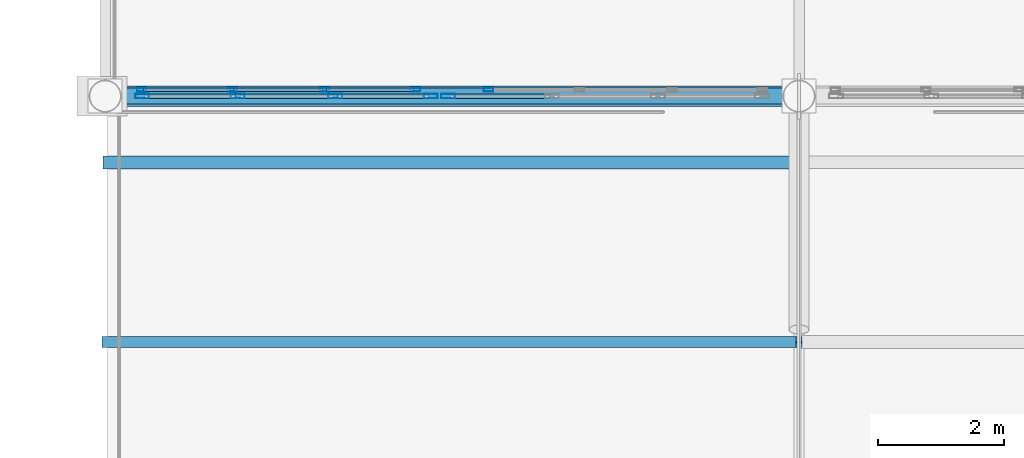
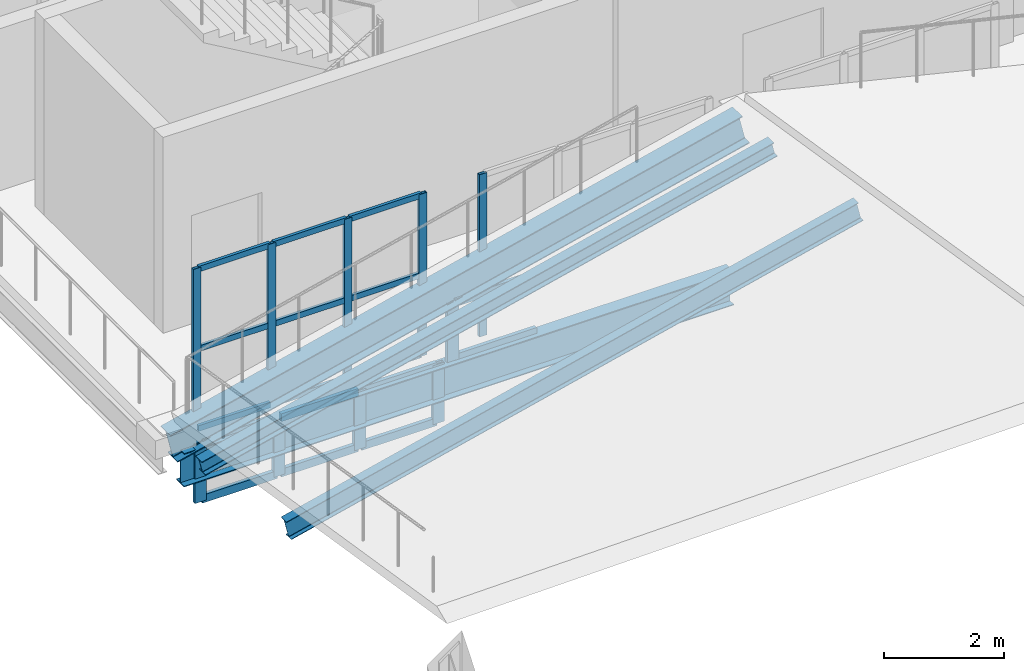
# One storey, part 19 of 120: 29 members, 2 beams, 4 elements without a shape of their own.
"""IFC4 building model written with IfcOpenShell, lengths in metres."""

from ifc_helpers import new_model, si_unit, direction, frame, origin, origin_2d, place, context, subcontext, project, spatial, hollow_rectangle, i_section, extrude, material, material_profile, profile_set, type_object, element, aggregate, save


model = new_model("IFC4")

# Units and contexts
model_context = context("Model", 3, precision=1e-05, world=origin(), true_north=direction((0.0, 1.0)))
body_context = subcontext(model_context, "Body", "Model", "MODEL_VIEW")
ifc_project = project(units=[si_unit("LENGTHUNIT", "METRE"), si_unit("AREAUNIT", "SQUARE_METRE"), si_unit("VOLUMEUNIT", "CUBIC_METRE"), si_unit("PLANEANGLEUNIT", "RADIAN"), si_unit("MASSUNIT", "GRAM", prefix="KILO")], contexts=[model_context])

# Site, building, storey
site_placement = place(None, origin())
site = spatial("IfcSite", under=ifc_project, at=site_placement, CompositionType="ELEMENT")
building_placement = place(site_placement, origin())
building = spatial("IfcBuilding", under=site, at=building_placement, Name="Caurita Quay Ferry Terminal", CompositionType="ELEMENT")
storey_placement = place(building_placement, frame((0.0, 0.0, 9.89990234375)))
storey = spatial("IfcBuildingStorey", under=building, at=storey_placement, Name="L02", CompositionType="ELEMENT", Elevation=9.89990234375)

# Beams
ifc_material_1 = material(Name="Structural steel ASTM A992 Gr. 50", Category="steel")
ifc_material_profile_1 = material_profile(ifc_material_1, i_section(OverallWidth=0.3251953125, OverallDepth=0.612060546875, WebThickness=0.0126953125, FlangeThickness=0.01904296875, FilletRadius=0.01513671875, at=origin_2d()), Name="W24X104")
ifc_profile_set_1 = profile_set([ifc_material_profile_1], Name="Structural steel ASTM A992 Gr. 50")
beam_type_1 = type_object("IfcBeamType", Name="BM-GR-W24A", PredefinedType="BEAM", material=ifc_profile_set_1)
beam_1_placement = place(storey_placement, frame((0.0, 62.699951171875, -0.02978515625), z_axis=(0.972389456854, 0.0, 0.233363973654), x_axis=(0.0, 1.0, 0.0)))
element("IfcBeam", 1, at=beam_1_placement, inside=storey, type_object=beam_type_1, Name="Folded Roof Gable Ring Girder V1-N-0", PredefinedType="BEAM", context=body_context, shape_type="SweptSolid", body=[
    extrude(i_section(OverallWidth=0.3251953125, OverallDepth=0.612060546875, WebThickness=0.0126953125, FlangeThickness=0.01904296875, FilletRadius=0.01513671875, at=origin_2d()), origin(), (0.0, 0.0, 1.0), 11.312255859375),
])
ifc_material_profile_2 = material_profile(ifc_material_1, i_section(OverallWidth=0.25390625, OverallDepth=0.68310546875, WebThickness=0.012451171875, FlangeThickness=0.018798828125, at=origin_2d()), Name="W27X94")
ifc_profile_set_2 = profile_set([ifc_material_profile_2], Name="Structural steel ASTM A992 Gr. 50")
beam_type_2 = type_object("IfcBeamType", Name="BM-GR-W27B", PredefinedType="BEAM", material=ifc_profile_set_2)
beam_2_placement = place(storey_placement, frame((0.2158203125, 62.699951171875, -0.5615234375), z_axis=(1.0, 0.0, 0.0), x_axis=(0.0, 1.0, 0.0)))
element("IfcBeam", 2, at=beam_2_placement, inside=storey, type_object=beam_type_2, Name="L02 Beam BM-V1-L02-X-2-627", PredefinedType="BEAM", context=body_context, shape_type="SweptSolid", body=[
    extrude(i_section(OverallWidth=0.25390625, OverallDepth=0.68310546875, WebThickness=0.012451171875, FlangeThickness=0.018798828125, at=origin_2d()), origin(), (0.0, 0.0, 1.0), 10.568359375),
])

# Curtain wall, members
ifc_material_2 = material(Name="Laminated solar-control insulated glass", Category="glass")
curtain_wall_type_1 = type_object("IfcCurtainWallType", Name="CW-SYS-13", PredefinedType="NOTDEFINED", material=ifc_material_2)
curtain_wall_1_placement = place(storey_placement, origin())
curtain_wall_1 = element("IfcCurtainWall", 3, at=curtain_wall_1_placement, inside=storey, type_object=curtain_wall_type_1, Name="Mezzanine Hall Overlook Glazing 089", PredefinedType="NOTDEFINED")
ifc_material_3 = material(Name="Anodized aluminium 6063-T6", Category="aluminium")
ifc_material_profile_3 = material_profile(ifc_material_3, hollow_rectangle(XDim=0.06005859375, YDim=0.14990234375, WallThickness=0.00341796875, at=origin_2d()), Name="ALU-MUL-60X150")
ifc_profile_set_3 = profile_set([ifc_material_profile_3], Name="Anodized aluminium 6063-T6")
member_type_1 = type_object("IfcMemberType", Name="CW-MUL-150", PredefinedType="MULLION", material=ifc_profile_set_3)
member_1_placement = place(storey_placement, frame((0.580078125, 62.800048828125, 0.0), z_axis=(0.0, 0.0, 1.0), x_axis=(0.0, 1.0, 0.0)))
member_1 = element("IfcMember", 4, at=member_1_placement, type_object=member_type_1, Name="CW-MZL-089 Mullion 1", PredefinedType="MULLION", context=body_context, shape_type="SweptSolid", body=[
    extrude(hollow_rectangle(XDim=0.06005859375, YDim=0.14990234375, WallThickness=0.00341796875, at=origin_2d()), origin(), (0.0, 0.0, 1.0), 3.300048828125),
])
member_2_placement = place(storey_placement, frame((2.0166015625, 62.800048828125, 0.0), z_axis=(0.0, 0.0, 1.0), x_axis=(0.0, 1.0, 0.0)))
member_2 = element("IfcMember", 5, at=member_2_placement, type_object=member_type_1, Name="CW-MZL-089 Mullion 2", PredefinedType="MULLION", context=body_context, shape_type="SweptSolid", body=[
    extrude(hollow_rectangle(XDim=0.06005859375, YDim=0.14990234375, WallThickness=0.00341796875, at=origin_2d()), origin(), (0.0, 0.0, 1.0), 3.300048828125),
])
member_3_placement = place(storey_placement, frame((3.4833984375, 62.800048828125, 0.0), z_axis=(0.0, 0.0, 1.0), x_axis=(0.0, 1.0, 0.0)))
member_3 = element("IfcMember", 6, at=member_3_placement, type_object=member_type_1, Name="CW-MZL-089 Mullion 3", PredefinedType="MULLION", context=body_context, shape_type="SweptSolid", body=[
    extrude(hollow_rectangle(XDim=0.06005859375, YDim=0.14990234375, WallThickness=0.00341796875, at=origin_2d()), origin(), (0.0, 0.0, 1.0), 3.300048828125),
])
member_4_placement = place(storey_placement, frame((4.919921875, 62.800048828125, 0.0), z_axis=(0.0, 0.0, 1.0), x_axis=(0.0, 1.0, 0.0)))
member_4 = element("IfcMember", 7, at=member_4_placement, type_object=member_type_1, Name="CW-MZL-089 Mullion 4", PredefinedType="MULLION", context=body_context, shape_type="SweptSolid", body=[
    extrude(hollow_rectangle(XDim=0.06005859375, YDim=0.14990234375, WallThickness=0.00341796875, at=origin_2d()), origin(), (0.0, 0.0, 1.0), 3.300048828125),
])

# Curtain wall, member
curtain_wall_2_placement = place(storey_placement, origin())
curtain_wall_2 = element("IfcCurtainWall", 8, at=curtain_wall_2_placement, inside=storey, type_object=curtain_wall_type_1, Name="Mezzanine Hall Overlook Glazing 090", PredefinedType="NOTDEFINED")
member_5_placement = place(storey_placement, frame((6.080078125, 62.800048828125, 0.0), z_axis=(0.0, 0.0, 1.0), x_axis=(0.0, 1.0, 0.0)))
member_5 = element("IfcMember", 9, at=member_5_placement, type_object=member_type_1, Name="CW-MZL-090 Mullion 1", PredefinedType="MULLION", context=body_context, shape_type="SweptSolid", body=[
    extrude(hollow_rectangle(XDim=0.06005859375, YDim=0.14990234375, WallThickness=0.00341796875, at=origin_2d()), origin(), (0.0, 0.0, 1.0), 3.300048828125),
])
aggregate(curtain_wall_2, [member_5])

# Curtain wall, members
curtain_wall_type_2 = type_object("IfcCurtainWallType", Name="CW-SYS-05", PredefinedType="NOTDEFINED", material=ifc_material_2)
curtain_wall_3_placement = place(storey_placement, origin())
curtain_wall_3 = element("IfcCurtainWall", 10, at=curtain_wall_3_placement, inside=storey, type_object=curtain_wall_type_2, Name="Folded Roof Clerestory FB-01-N1", PredefinedType="NOTDEFINED")
ifc_material_profile_4 = material_profile(ifc_material_3, hollow_rectangle(XDim=0.074951171875, YDim=0.219970703125, WallThickness=0.00390625, at=origin_2d()), Name="ALU-MUL-75X220")
ifc_profile_set_4 = profile_set([ifc_material_profile_4], Name="Anodized aluminium 6063-T6")
member_type_2 = type_object("IfcMemberType", Name="CW-MUL-220", PredefinedType="MULLION", material=ifc_profile_set_4)
member_6_placement = place(storey_placement, frame((0.58740234375, 62.699951171875, -1.3828125), z_axis=(0.0, 0.0, 1.0), x_axis=(0.0, 1.0, 0.0)))
member_6 = element("IfcMember", 11, at=member_6_placement, type_object=member_type_2, Name="CW-CLR-005 Mullion 1", PredefinedType="MULLION", context=body_context, shape_type="SweptSolid", body=[
    extrude(hollow_rectangle(XDim=0.074951171875, YDim=0.219970703125, WallThickness=0.00390625, at=origin_2d()), origin(), (0.0, 0.0, 1.0), 1.199951171875),
])
member_7_placement = place(storey_placement, frame((2.10009765625, 62.699951171875, -1.3828125), z_axis=(0.0, 0.0, 1.0), x_axis=(0.0, 1.0, 0.0)))
member_7 = element("IfcMember", 12, at=member_7_placement, type_object=member_type_2, Name="CW-CLR-005 Mullion 2", PredefinedType="MULLION", context=body_context, shape_type="SweptSolid", body=[
    extrude(hollow_rectangle(XDim=0.074951171875, YDim=0.219970703125, WallThickness=0.00390625, at=origin_2d()), origin(), (0.0, 0.0, 1.0), 1.199951171875),
])
member_8_placement = place(storey_placement, frame((3.64990234375, 62.699951171875, -1.3828125), z_axis=(0.0, 0.0, 1.0), x_axis=(0.0, 1.0, 0.0)))
member_8 = element("IfcMember", 13, at=member_8_placement, type_object=member_type_2, Name="CW-CLR-005 Mullion 3", PredefinedType="MULLION", context=body_context, shape_type="SweptSolid", body=[
    extrude(hollow_rectangle(XDim=0.074951171875, YDim=0.219970703125, WallThickness=0.00390625, at=origin_2d()), origin(), (0.0, 0.0, 1.0), 1.199951171875),
])
member_9_placement = place(storey_placement, frame((5.16259765625, 62.699951171875, -1.3828125), z_axis=(0.0, 0.0, 1.0), x_axis=(0.0, 1.0, 0.0)))
member_9 = element("IfcMember", 14, at=member_9_placement, type_object=member_type_2, Name="CW-CLR-005 Mullion 4", PredefinedType="MULLION", context=body_context, shape_type="SweptSolid", body=[
    extrude(hollow_rectangle(XDim=0.074951171875, YDim=0.219970703125, WallThickness=0.00390625, at=origin_2d()), origin(), (0.0, 0.0, 1.0), 1.199951171875),
])

# Curtain wall, member
curtain_wall_type_3 = type_object("IfcCurtainWallType", Name="CW-SYS-06", PredefinedType="NOTDEFINED", material=ifc_material_2)
curtain_wall_4_placement = place(storey_placement, origin())
curtain_wall_4 = element("IfcCurtainWall", 15, at=curtain_wall_4_placement, inside=storey, type_object=curtain_wall_type_3, Name="Folded Roof Clerestory FB-01-N2", PredefinedType="NOTDEFINED")
member_10_placement = place(storey_placement, frame((5.4375, 62.699951171875, -0.218994140625), z_axis=(0.0, 0.0, 1.0), x_axis=(0.0, 1.0, 0.0)))
member_10 = element("IfcMember", 16, at=member_10_placement, type_object=member_type_2, Name="CW-CLR-006 Mullion 1", PredefinedType="MULLION", context=body_context, shape_type="SweptSolid", body=[
    extrude(hollow_rectangle(XDim=0.074951171875, YDim=0.219970703125, WallThickness=0.00390625, at=origin_2d()), origin(), (0.0, 0.0, 1.0), 1.2001953125),
])

# Member
ifc_material_profile_5 = material_profile(ifc_material_3, hollow_rectangle(XDim=0.06005859375, YDim=0.114990234375, WallThickness=0.00341796875, at=origin_2d()), Name="ALU-TRN-60X115")
ifc_profile_set_5 = profile_set([ifc_material_profile_5], Name="Anodized aluminium 6063-T6")
member_type_3 = type_object("IfcMemberType", Name="CW-TRN-115", PredefinedType="USERDEFINED", material=ifc_profile_set_5)
member_11_placement = place(storey_placement, frame((0.60791015625, 62.800048828125, 0.030029296875), z_axis=(1.0, 0.0, 0.0), x_axis=(0.0, 1.0, 0.0)))
member_11 = element("IfcMember", 17, at=member_11_placement, type_object=member_type_3, Name="CW-MZL-089 Transom 1", ObjectType="TRANSOM", PredefinedType="USERDEFINED", context=body_context, shape_type="SweptSolid", body=[
    extrude(hollow_rectangle(XDim=0.06005859375, YDim=0.114990234375, WallThickness=0.00341796875, at=origin_2d()), origin(), (0.0, 0.0, 1.0), 1.380859375),
])

member_12_placement = place(storey_placement, frame((0.60791015625, 62.800048828125, 1.650146484375), z_axis=(1.0, 0.0, 0.0), x_axis=(0.0, 1.0, 0.0)))
member_12 = element("IfcMember", 18, at=member_12_placement, type_object=member_type_3, Name="CW-MZL-089 Transom 2", ObjectType="TRANSOM", PredefinedType="USERDEFINED", context=body_context, shape_type="SweptSolid", body=[
    extrude(hollow_rectangle(XDim=0.06005859375, YDim=0.114990234375, WallThickness=0.00341796875, at=origin_2d()), origin(), (0.0, 0.0, 1.0), 1.380859375),
])

member_13_placement = place(storey_placement, frame((0.60791015625, 62.800048828125, 3.27001953125), z_axis=(1.0, 0.0, 0.0), x_axis=(0.0, 1.0, 0.0)))
member_13 = element("IfcMember", 19, at=member_13_placement, type_object=member_type_3, Name="CW-MZL-089 Transom 3", ObjectType="TRANSOM", PredefinedType="USERDEFINED", context=body_context, shape_type="SweptSolid", body=[
    extrude(hollow_rectangle(XDim=0.06005859375, YDim=0.114990234375, WallThickness=0.00341796875, at=origin_2d()), origin(), (0.0, 0.0, 1.0), 1.380859375),
])

member_14_placement = place(storey_placement, frame((2.044677734375, 62.800048828125, 0.030029296875), z_axis=(1.0, 0.0, 0.0), x_axis=(0.0, 1.0, 0.0)))
member_14 = element("IfcMember", 20, at=member_14_placement, type_object=member_type_3, Name="CW-MZL-089 Transom 4", ObjectType="TRANSOM", PredefinedType="USERDEFINED", context=body_context, shape_type="SweptSolid", body=[
    extrude(hollow_rectangle(XDim=0.06005859375, YDim=0.114990234375, WallThickness=0.00341796875, at=origin_2d()), origin(), (0.0, 0.0, 1.0), 1.41064453125),
])

member_15_placement = place(storey_placement, frame((2.044677734375, 62.800048828125, 1.650146484375), z_axis=(1.0, 0.0, 0.0), x_axis=(0.0, 1.0, 0.0)))
member_15 = element("IfcMember", 21, at=member_15_placement, type_object=member_type_3, Name="CW-MZL-089 Transom 5", ObjectType="TRANSOM", PredefinedType="USERDEFINED", context=body_context, shape_type="SweptSolid", body=[
    extrude(hollow_rectangle(XDim=0.06005859375, YDim=0.114990234375, WallThickness=0.00341796875, at=origin_2d()), origin(), (0.0, 0.0, 1.0), 1.41064453125),
])

member_16_placement = place(storey_placement, frame((2.044677734375, 62.800048828125, 3.27001953125), z_axis=(1.0, 0.0, 0.0), x_axis=(0.0, 1.0, 0.0)))
member_16 = element("IfcMember", 22, at=member_16_placement, type_object=member_type_3, Name="CW-MZL-089 Transom 6", ObjectType="TRANSOM", PredefinedType="USERDEFINED", context=body_context, shape_type="SweptSolid", body=[
    extrude(hollow_rectangle(XDim=0.06005859375, YDim=0.114990234375, WallThickness=0.00341796875, at=origin_2d()), origin(), (0.0, 0.0, 1.0), 1.41064453125),
])

member_17_placement = place(storey_placement, frame((3.51123046875, 62.800048828125, 0.030029296875), z_axis=(1.0, 0.0, 0.0), x_axis=(0.0, 1.0, 0.0)))
member_17 = element("IfcMember", 23, at=member_17_placement, type_object=member_type_3, Name="CW-MZL-089 Transom 7", ObjectType="TRANSOM", PredefinedType="USERDEFINED", context=body_context, shape_type="SweptSolid", body=[
    extrude(hollow_rectangle(XDim=0.06005859375, YDim=0.114990234375, WallThickness=0.00341796875, at=origin_2d()), origin(), (0.0, 0.0, 1.0), 1.380859375),
])

member_18_placement = place(storey_placement, frame((3.51123046875, 62.800048828125, 1.650146484375), z_axis=(1.0, 0.0, 0.0), x_axis=(0.0, 1.0, 0.0)))
member_18 = element("IfcMember", 24, at=member_18_placement, type_object=member_type_3, Name="CW-MZL-089 Transom 8", ObjectType="TRANSOM", PredefinedType="USERDEFINED", context=body_context, shape_type="SweptSolid", body=[
    extrude(hollow_rectangle(XDim=0.06005859375, YDim=0.114990234375, WallThickness=0.00341796875, at=origin_2d()), origin(), (0.0, 0.0, 1.0), 1.380859375),
])

member_19_placement = place(storey_placement, frame((3.51123046875, 62.800048828125, 3.27001953125), z_axis=(1.0, 0.0, 0.0), x_axis=(0.0, 1.0, 0.0)))
member_19 = element("IfcMember", 25, at=member_19_placement, type_object=member_type_3, Name="CW-MZL-089 Transom 9", ObjectType="TRANSOM", PredefinedType="USERDEFINED", context=body_context, shape_type="SweptSolid", body=[
    extrude(hollow_rectangle(XDim=0.06005859375, YDim=0.114990234375, WallThickness=0.00341796875, at=origin_2d()), origin(), (0.0, 0.0, 1.0), 1.380859375),
])

aggregate(curtain_wall_1, [member_1, member_2, member_3, member_4, member_11, member_12, member_13, member_14, member_15, member_16, member_17, member_18, member_19])

ifc_material_profile_6 = material_profile(ifc_material_3, hollow_rectangle(XDim=0.074951171875, YDim=0.159912109375, WallThickness=0.00390625, at=origin_2d()), Name="ALU-TRN-75X160")
ifc_profile_set_6 = profile_set([ifc_material_profile_6], Name="Anodized aluminium 6063-T6")
member_type_4 = type_object("IfcMemberType", Name="CW-TRN-160", PredefinedType="USERDEFINED", material=ifc_profile_set_6)
member_20_placement = place(storey_placement, frame((0.623046875, 62.699951171875, -1.345458984375), z_axis=(1.0, 0.0, 0.0), x_axis=(0.0, 1.0, 0.0)))
member_20 = element("IfcMember", 26, at=member_20_placement, type_object=member_type_4, Name="CW-CLR-005 Transom 1", ObjectType="TRANSOM", PredefinedType="USERDEFINED", context=body_context, shape_type="SweptSolid", body=[
    extrude(hollow_rectangle(XDim=0.074951171875, YDim=0.159912109375, WallThickness=0.00390625, at=origin_2d()), origin(), (0.0, 0.0, 1.0), 1.44140625),
])

member_21_placement = place(storey_placement, frame((0.623046875, 62.699951171875, -0.220458984375), z_axis=(1.0, 0.0, 0.0), x_axis=(0.0, 1.0, 0.0)))
member_21 = element("IfcMember", 27, at=member_21_placement, type_object=member_type_4, Name="CW-CLR-005 Transom 2", ObjectType="TRANSOM", PredefinedType="USERDEFINED", context=body_context, shape_type="SweptSolid", body=[
    extrude(hollow_rectangle(XDim=0.074951171875, YDim=0.159912109375, WallThickness=0.00390625, at=origin_2d()), origin(), (0.0, 0.0, 1.0), 1.44140625),
])

member_22_placement = place(storey_placement, frame((2.135498046875, 62.699951171875, -1.345458984375), z_axis=(1.0, 0.0, 0.0), x_axis=(0.0, 1.0, 0.0)))
member_22 = element("IfcMember", 28, at=member_22_placement, type_object=member_type_4, Name="CW-CLR-005 Transom 3", ObjectType="TRANSOM", PredefinedType="USERDEFINED", context=body_context, shape_type="SweptSolid", body=[
    extrude(hollow_rectangle(XDim=0.074951171875, YDim=0.159912109375, WallThickness=0.00390625, at=origin_2d()), origin(), (0.0, 0.0, 1.0), 1.47900390625),
])

member_23_placement = place(storey_placement, frame((2.135498046875, 62.699951171875, -0.220458984375), z_axis=(1.0, 0.0, 0.0), x_axis=(0.0, 1.0, 0.0)))
member_23 = element("IfcMember", 29, at=member_23_placement, type_object=member_type_4, Name="CW-CLR-005 Transom 4", ObjectType="TRANSOM", PredefinedType="USERDEFINED", context=body_context, shape_type="SweptSolid", body=[
    extrude(hollow_rectangle(XDim=0.074951171875, YDim=0.159912109375, WallThickness=0.00390625, at=origin_2d()), origin(), (0.0, 0.0, 1.0), 1.47900390625),
])

member_24_placement = place(storey_placement, frame((3.685546875, 62.699951171875, -1.345458984375), z_axis=(1.0, 0.0, 0.0), x_axis=(0.0, 1.0, 0.0)))
member_24 = element("IfcMember", 30, at=member_24_placement, type_object=member_type_4, Name="CW-CLR-005 Transom 5", ObjectType="TRANSOM", PredefinedType="USERDEFINED", context=body_context, shape_type="SweptSolid", body=[
    extrude(hollow_rectangle(XDim=0.074951171875, YDim=0.159912109375, WallThickness=0.00390625, at=origin_2d()), origin(), (0.0, 0.0, 1.0), 1.44140625),
])

member_25_placement = place(storey_placement, frame((3.685546875, 62.699951171875, -0.220458984375), z_axis=(1.0, 0.0, 0.0), x_axis=(0.0, 1.0, 0.0)))
member_25 = element("IfcMember", 31, at=member_25_placement, type_object=member_type_4, Name="CW-CLR-005 Transom 6", ObjectType="TRANSOM", PredefinedType="USERDEFINED", context=body_context, shape_type="SweptSolid", body=[
    extrude(hollow_rectangle(XDim=0.074951171875, YDim=0.159912109375, WallThickness=0.00390625, at=origin_2d()), origin(), (0.0, 0.0, 1.0), 1.44140625),
])

aggregate(curtain_wall_3, [member_6, member_7, member_8, member_9, member_20, member_21, member_22, member_23, member_24, member_25])

member_26_placement = place(storey_placement, frame((5.472900390625, 62.699951171875, -0.181396484375), z_axis=(1.0, 0.0, 0.0), x_axis=(0.0, 1.0, 0.0)))
member_26 = element("IfcMember", 32, at=member_26_placement, type_object=member_type_4, Name="CW-CLR-006 Transom 1", ObjectType="TRANSOM", PredefinedType="USERDEFINED", context=body_context, shape_type="SweptSolid", body=[
    extrude(hollow_rectangle(XDim=0.074951171875, YDim=0.159912109375, WallThickness=0.00390625, at=origin_2d()), origin(), (0.0, 0.0, 1.0), 1.574951171875),
])

member_27_placement = place(storey_placement, frame((5.472900390625, 62.699951171875, 0.943603515625), z_axis=(1.0, 0.0, 0.0), x_axis=(0.0, 1.0, 0.0)))
member_27 = element("IfcMember", 33, at=member_27_placement, type_object=member_type_4, Name="CW-CLR-006 Transom 2", ObjectType="TRANSOM", PredefinedType="USERDEFINED", context=body_context, shape_type="SweptSolid", body=[
    extrude(hollow_rectangle(XDim=0.074951171875, YDim=0.159912109375, WallThickness=0.00390625, at=origin_2d()), origin(), (0.0, 0.0, 1.0), 1.574951171875),
])

aggregate(curtain_wall_4, [member_10, member_26, member_27])

# Members
ifc_material_profile_7 = material_profile(ifc_material_1, i_section(OverallWidth=0.20458984375, OverallDepth=0.307373046875, WebThickness=0.008544921875, FlangeThickness=0.0146484375, FilletRadius=0.0126953125, at=origin_2d()), Name="W12X45")
ifc_profile_set_7 = profile_set([ifc_material_profile_7], Name="Structural steel ASTM A992 Gr. 50")
member_type_5 = type_object("IfcMemberType", Name="MEM-PUR-12", PredefinedType="PURLIN", material=ifc_profile_set_7)
member_28_placement = place(storey_placement, frame((0.0, 61.64990234375, 0.168212890625), z_axis=(0.972389456854, 0.0, 0.233363973654), x_axis=(0.0, 1.0, 0.0)))
element("IfcMember", 34, at=member_28_placement, inside=storey, type_object=member_type_5, Name="Folded Roof Purlin PUR-010", PredefinedType="PURLIN", context=body_context, shape_type="SweptSolid", body=[
    extrude(i_section(OverallWidth=0.20458984375, OverallDepth=0.307373046875, WebThickness=0.008544921875, FlangeThickness=0.0146484375, FilletRadius=0.0126953125, at=origin_2d()), origin(), (0.0, 0.0, 1.0), 11.312255859375),
])
ifc_material_profile_8 = material_profile(ifc_material_1, i_section(OverallWidth=0.177734375, OverallDepth=0.40380859375, WebThickness=0.007568359375, FlangeThickness=0.010986328125, FilletRadius=0.011474609375, at=origin_2d()), Name="W16X36")
ifc_profile_set_8 = profile_set([ifc_material_profile_8], Name="Structural steel ASTM A992 Gr. 50")
member_type_6 = type_object("IfcMemberType", Name="MEM-PUR-16", PredefinedType="PURLIN", material=ifc_profile_set_8)
member_29_placement = place(storey_placement, frame((0.0, 58.800048828125, 0.6240234375), z_axis=(0.972384559308, 0.0, 0.23338437998), x_axis=(0.0, 1.0, 0.0)))
element("IfcMember", 35, at=member_29_placement, inside=storey, type_object=member_type_6, Name="Folded Roof Purlin PUR-009", PredefinedType="PURLIN", context=body_context, shape_type="SweptSolid", body=[
    extrude(i_section(OverallWidth=0.177734375, OverallDepth=0.40380859375, WebThickness=0.007568359375, FlangeThickness=0.010986328125, FilletRadius=0.011474609375, at=origin_2d()), origin(), (0.0, 0.0, 1.0), 11.3125),
])

save(model, "model.ifc")
